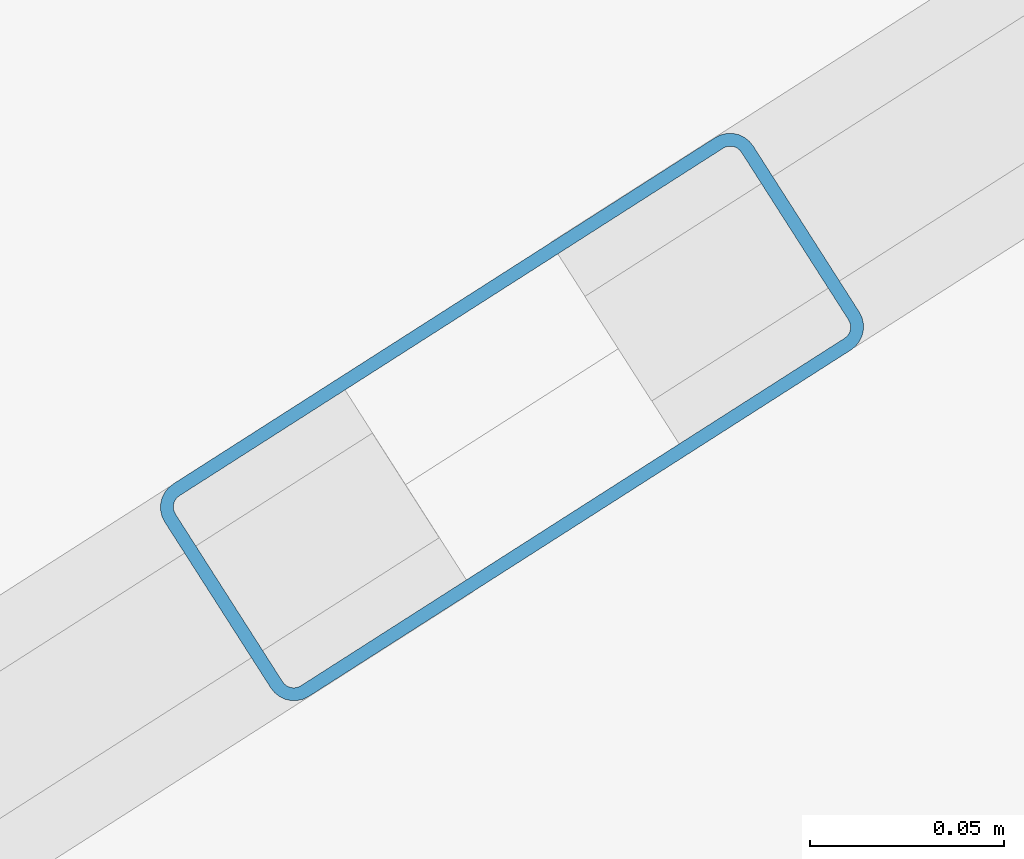
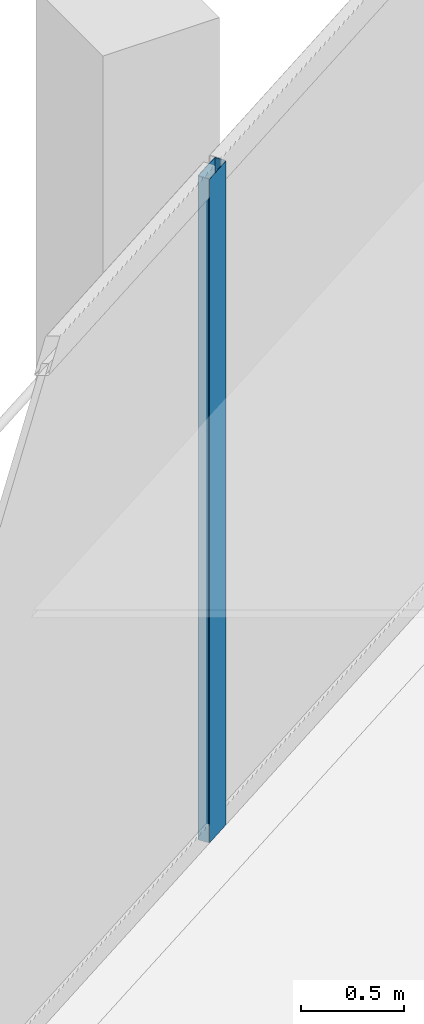
# One storey, part 14 of 44: 1 member, 1 element without a shape of its own.
"""IFC4 building model written with IfcOpenShell, lengths in metres."""

import ifcopenshell
import ifcopenshell.guid

model = None  # the IFC model being written
_history = None  # IfcOwnerHistory: only IFC2X3 demands one
_inside = {}  # id of a spatial element -> (the spatial element, [elements in it])
_under = {}  # id of a project, library or spatial element -> (it, [spatial elements below it])
_declared = {}  # id of a project -> (the project, [libraries it declares])
_typed = {}  # id of a type object -> (the type object, [elements of that type])
_made_of = {}  # id of a material, layer set ... -> (it, [elements and type objects made of it])


def new_model(schema):
    """Start an empty IFC model of exactly this schema.

    Asked for "IFC4X3", IfcOpenShell would pick the latest addendum, in which some entities
    have other attributes; the version numbers below select the first issue.
    IFC2X3 requires an IfcOwnerHistory on every rooted entity: one is made here for all.
    """
    global model, _history
    if schema == "IFC4X3":
        model = ifcopenshell.file(schema_version=(4, 3, 0, 0))
    else:
        model = ifcopenshell.file(schema=schema)
    _inside.clear()
    _under.clear()
    _declared.clear()
    _typed.clear()
    _made_of.clear()
    _history = None
    if model.schema == "IFC2X3":
        org = make("IfcOrganization", Name="unknown")
        user = make(
            "IfcPersonAndOrganization",
            ThePerson=make("IfcPerson", FamilyName="unknown"),
            TheOrganization=org,
        )
        app = make(
            "IfcApplication",
            ApplicationDeveloper=org,
            Version="unknown",
            ApplicationFullName="unknown",
            ApplicationIdentifier="unknown",
        )
        _history = make(
            "IfcOwnerHistory",
            OwningUser=user,
            OwningApplication=app,
            ChangeAction="ADDED",
            CreationDate=0,
        )
    return model


def make(cls, **values):
    """One entity of the class cls with the attributes given. An attribute that is None is left unset."""
    return model.create_entity(
        cls, **{name: value for name, value in values.items() if value is not None}
    )


def rooted(cls, **values):
    """An entity with a GlobalId (a new one), such as an element, a storey or a relation."""
    return make(cls, GlobalId=ifcopenshell.guid.new(), OwnerHistory=_history, **values)


def si_unit(unit_type, name, prefix=None):
    """IfcSIUnit, for example si_unit("LENGTHUNIT", "METRE", prefix="MILLI")."""
    return make("IfcSIUnit", UnitType=unit_type, Prefix=prefix, Name=name)


def assignment(units):
    """IfcUnitAssignment: the units of a project."""
    return None if units is None else make("IfcUnitAssignment", Units=units)


def point(xyz):
    """IfcCartesianPoint."""
    return None if xyz is None else make("IfcCartesianPoint", Coordinates=xyz)


def direction(xyz):
    """IfcDirection."""
    return None if xyz is None else make("IfcDirection", DirectionRatios=xyz)


def frame(location, z_axis=None, x_axis=None):
    """IfcAxis2Placement3D, a coordinate frame: its origin and axes. An axis left out is left unset."""
    return make(
        "IfcAxis2Placement3D",
        Location=point(location),
        Axis=direction(z_axis),
        RefDirection=direction(x_axis),
    )


def frame_2d(location, x_axis=None):
    """IfcAxis2Placement2D, a coordinate frame in the plane: its origin and x axis."""
    return make(
        "IfcAxis2Placement2D", Location=point(location), RefDirection=direction(x_axis)
    )


def origin():
    """The frame at (0, 0, 0) with its axes left unset."""
    return frame((0.0, 0.0, 0.0))


def origin_2d():
    """The frame at (0, 0) in the plane with its x axis left unset."""
    return frame_2d((0.0, 0.0))


def place(relative_to, where):
    """IfcLocalPlacement: puts the frame where relative to a parent placement (None: the world)."""
    return make(
        "IfcLocalPlacement", PlacementRelTo=relative_to, RelativePlacement=where
    )


def context(
    kind, dimensions, precision=None, world=None, true_north=None, identifier=None
):
    """IfcGeometricRepresentationContext, for example the 3D "Model" context."""
    return make(
        "IfcGeometricRepresentationContext",
        ContextIdentifier=identifier,
        ContextType=kind,
        CoordinateSpaceDimension=dimensions,
        Precision=precision,
        WorldCoordinateSystem=world,
        TrueNorth=true_north,
    )


def subcontext(parent, identifier, kind, view, scale=None):
    """IfcGeometricRepresentationSubContext, for example "Body" below "Model"."""
    return make(
        "IfcGeometricRepresentationSubContext",
        ContextIdentifier=identifier,
        ContextType=kind,
        ParentContext=parent,
        TargetScale=scale,
        TargetView=view,
    )


def project(units=None, contexts=None):
    """IfcProject with its units and contexts."""
    return rooted(
        "IfcProject",
        Name="project",
        RepresentationContexts=contexts,
        UnitsInContext=assignment(units),
    )


def spatial(cls, under=None, at=None, **own):
    """A site, building, storey or space (cls), placed at a placement, below another one or the project."""
    s = rooted(cls, ObjectPlacement=at, **own)
    if under is not None:
        _under.setdefault(under.id(), (under, []))[1].append(s)
    return s


def profile(cls, at=None, kind="AREA", **sizes):
    """A parametric profile (cls). Its sizes go by their IFC names, for example OverallWidth=200.0."""
    return make(cls, ProfileType=kind, Position=at, **sizes)


def hollow_rectangle(**sizes):
    """IfcRectangleHollowProfileDef."""
    return profile("IfcRectangleHollowProfileDef", **sizes)


def extrude(swept, where, along, depth):
    """IfcExtrudedAreaSolid: the profile swept, set in the frame where, extruded along a direction by depth."""
    return make(
        "IfcExtrudedAreaSolid",
        SweptArea=swept,
        Position=where,
        ExtrudedDirection=direction(along),
        Depth=depth,
    )


def shape(context_of_items, identifier, shape_type, items):
    """IfcShapeRepresentation: the items that make up one representation, for example the "Body"."""
    return make(
        "IfcShapeRepresentation",
        ContextOfItems=context_of_items,
        RepresentationIdentifier=identifier,
        RepresentationType=shape_type,
        Items=items,
    )


def material(Name=None, Category=None):
    """IfcMaterial."""
    return make("IfcMaterial", Name=Name, Category=Category)


def layer(
    of_material, thickness, ventilated=None, Name=None, Category=None, Priority=None
):
    """IfcMaterialLayer: one layer of a wall or slab, of a material (None: an air gap)."""
    return make(
        "IfcMaterialLayer",
        Material=of_material,
        LayerThickness=thickness,
        IsVentilated=ventilated,
        Name=Name,
        Category=Category,
        Priority=Priority,
    )


def layer_set(layers, Name=None):
    """IfcMaterialLayerSet."""
    return make("IfcMaterialLayerSet", MaterialLayers=layers, LayerSetName=Name)


def material_profile(
    of_material, cross_section, Name=None, Category=None, Priority=None
):
    """IfcMaterialProfile: a cross section and its material."""
    return make(
        "IfcMaterialProfile",
        Name=Name,
        Material=of_material,
        Profile=cross_section,
        Priority=Priority,
        Category=Category,
    )


def profile_set(profiles, Name=None, composite=None):
    """IfcMaterialProfileSet."""
    return make(
        "IfcMaterialProfileSet",
        Name=Name,
        MaterialProfiles=profiles,
        CompositeProfile=composite,
    )


def made_of(thing, what):
    """Note that an element or type object is made of a material, layer set ...; save() writes the relation."""
    if what is not None:
        _made_of.setdefault(what.id(), (what, []))[1].append(thing)
    return thing


def type_object(cls, material=None, **own):
    """A type object (cls), such as IfcWallType, which elements share."""
    return made_of(rooted(cls, **own), material)


def element(
    cls,
    number,
    at=None,
    inside=None,
    cuts=None,
    type_object=None,
    material=None,
    context=None,
    identifier="Body",
    shape_type=None,
    held_by="IfcProductDefinitionShape",
    body=None,
    shapes=None,
    **own,
):
    """One element of the class cls, such as IfcWall. Its Tag is "e" and its number.

    at: its placement. inside: the storey or other place that contains it. cuts: it is an
    opening in that element (IfcRelVoidsElement). A single representation is given by context,
    identifier, shape_type and body (its items); several are given by shapes. held_by: the class
    of the entity that holds the representations. save() writes the other relations.
    """
    e = rooted(cls, Tag="e%d" % number, ObjectPlacement=at, **own)
    if body is not None:
        shapes = [shape(context, identifier, shape_type, body)]
    if shapes is not None:
        e.Representation = make(held_by, Representations=shapes)
    if inside is not None:
        _inside.setdefault(inside.id(), (inside, []))[1].append(e)
    if cuts is not None:
        rooted(
            "IfcRelVoidsElement", RelatingBuildingElement=cuts, RelatedOpeningElement=e
        )
    if type_object is not None:
        _typed.setdefault(type_object.id(), (type_object, []))[1].append(e)
    return made_of(e, material)


def aggregate(whole, parts):
    """IfcRelAggregates: a whole, such as a stair, and the parts it consists of."""
    return rooted("IfcRelAggregates", RelatingObject=whole, RelatedObjects=parts)


def save(model, path):
    """Write the relations noted so far, then the file.

    IfcRelAggregates (storeys below a building ...), IfcRelContainedInSpatialStructure (elements
    in a storey), IfcRelDefinesByType, IfcRelAssociatesMaterial and IfcRelDeclares: one each for
    every whole, place, type object, material and project.
    """
    for whole, parts in _under.values():
        aggregate(whole, parts)
    for where, things in _inside.values():
        rooted(
            "IfcRelContainedInSpatialStructure",
            RelatedElements=things,
            RelatingStructure=where,
        )
    for kind, things in _typed.values():
        rooted("IfcRelDefinesByType", RelatedObjects=things, RelatingType=kind)
    for what, things in _made_of.values():
        rooted("IfcRelAssociatesMaterial", RelatedObjects=things, RelatingMaterial=what)
    for by, libraries in _declared.values():
        rooted("IfcRelDeclares", RelatingContext=by, RelatedDefinitions=libraries)
    model.write(path)


model = new_model("IFC4")

# Units and contexts
model_context = context("Model", 3, precision=1e-05, world=origin(), true_north=direction((0.0, 1.0)))
body_context = subcontext(model_context, "Body", "Model", "MODEL_VIEW")
ifc_project = project(units=[si_unit("LENGTHUNIT", "METRE"), si_unit("AREAUNIT", "SQUARE_METRE"), si_unit("VOLUMEUNIT", "CUBIC_METRE"), si_unit("PLANEANGLEUNIT", "RADIAN"), si_unit("MASSUNIT", "GRAM", prefix="KILO")], contexts=[model_context])

# Site, building, storey
site_placement = place(None, origin())
site = spatial("IfcSite", under=ifc_project, at=site_placement, CompositionType="ELEMENT")
building_placement = place(site_placement, origin())
building = spatial("IfcBuilding", under=site, at=building_placement, Name="Qorvath Tower", CompositionType="ELEMENT")
storey_placement = place(building_placement, frame((0.0, 0.0, 40.800048828125)))
storey = spatial("IfcBuildingStorey", under=building, at=storey_placement, Name="L08", CompositionType="ELEMENT", Elevation=40.800048828125)

# Curtain wall, member
ifc_material_1 = material(Name="Anodised aluminium and triple low-E glass", Category="aluminium")
ifc_layer = layer(ifc_material_1, 0.179931640625)
ifc_layer_set = layer_set([ifc_layer], Name="CW-SYS-2")
curtain_wall_type = type_object("IfcCurtainWallType", Name="CW-SYS-2", PredefinedType="NOTDEFINED", material=ifc_layer_set)
curtain_wall_placement = place(storey_placement, origin())
curtain_wall = element("IfcCurtainWall", 1, at=curtain_wall_placement, inside=storey, type_object=curtain_wall_type, Name="Curtain Wall CW-2 CW-T-L08-16.3", PredefinedType="NOTDEFINED")
ifc_material_2 = material(Name="Anodised aluminium 6063-T6", Category="aluminium")
ifc_material_profile = material_profile(ifc_material_2, hollow_rectangle(XDim=0.06494140625, YDim=0.179931640625, WallThickness=0.00341796875, InnerFilletRadius=0.00341796875, OuterFilletRadius=0.007080078125, at=origin_2d()), Name="CWM 180x65")
ifc_profile_set = profile_set([ifc_material_profile], Name="Anodised aluminium 6063-T6")
member_type = type_object("IfcMemberType", Name="CWM-180", PredefinedType="MULLION", material=ifc_profile_set)
member_placement = place(storey_placement, frame((-45.677001953125, 13.71435546875, 0.0), z_axis=(0.0, 0.0, 1.0), x_axis=(0.538531853978, -0.842605152044, 0.0)))
member = element("IfcMember", 2, at=member_placement, type_object=member_type, Name="CW-2 mullion 2", PredefinedType="MULLION", context=body_context, shape_type="SweptSolid", body=[
    extrude(hollow_rectangle(XDim=0.06494140625, YDim=0.179931640625, WallThickness=0.00341796875, InnerFilletRadius=0.00341796875, OuterFilletRadius=0.007080078125, at=origin_2d()), origin(), (0.0, 0.0, 1.0), 3.919921875),
])
aggregate(curtain_wall, [member])

save(model, "model.ifc")
